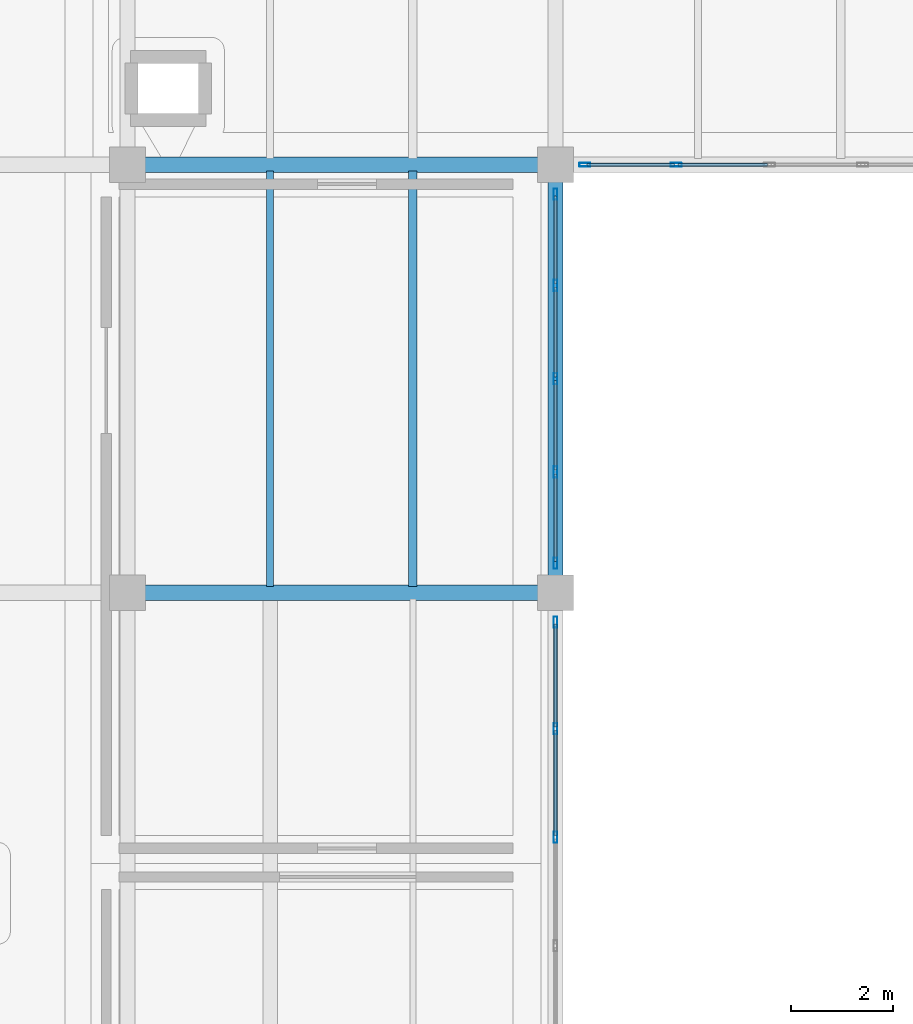
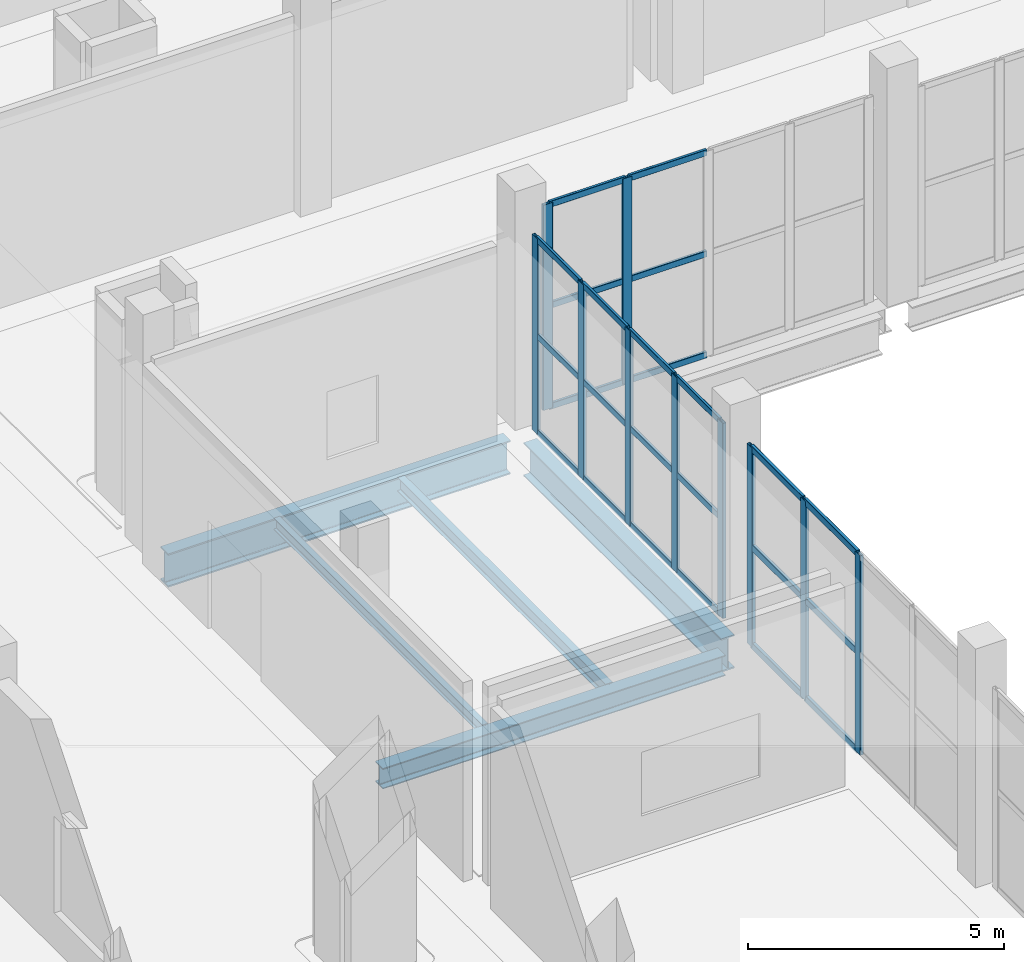
# One storey, part 23 of 49: 34 members, 5 beams, 3 elements without a shape of their own.
"""IFC4 building model written with IfcOpenShell, lengths in metres."""

from ifc_helpers import new_model, si_unit, direction, frame, origin, origin_2d, place, context, subcontext, project, spatial, hollow_rectangle, i_section, extrude, material, layer, layer_set, material_profile, profile_set, type_object, element, aggregate, save


model = new_model("IFC4")

# Units and contexts
model_context = context("Model", 3, precision=1e-05, world=origin(), true_north=direction((0.0, 1.0)))
body_context = subcontext(model_context, "Body", "Model", "MODEL_VIEW")
ifc_project = project(units=[si_unit("LENGTHUNIT", "METRE"), si_unit("AREAUNIT", "SQUARE_METRE"), si_unit("VOLUMEUNIT", "CUBIC_METRE"), si_unit("PLANEANGLEUNIT", "RADIAN"), si_unit("MASSUNIT", "GRAM", prefix="KILO")], contexts=[model_context])

# Site, building, storey
site_placement = place(None, origin())
site = spatial("IfcSite", under=ifc_project, at=site_placement, CompositionType="ELEMENT")
building_placement = place(site_placement, origin())
building = spatial("IfcBuilding", under=site, at=building_placement, Name="Zulmaris Art Gallery", CompositionType="ELEMENT")
storey_placement = place(building_placement, frame((0.0, 0.0, 20.699951171875)))
storey = spatial("IfcBuildingStorey", under=building, at=storey_placement, Name="L04", CompositionType="ELEMENT", Elevation=20.699951171875)

# Beams
ifc_material_1 = material(Name="Steel S355J2", Category="steel")
ifc_material_profile_1 = material_profile(ifc_material_1, i_section(OverallWidth=0.300048828125, OverallDepth=0.489990234375, WebThickness=0.011962890625, FlangeThickness=0.02294921875, FilletRadius=0.027099609375, at=origin_2d()), Name="HEA 500")
ifc_profile_set_1 = profile_set([ifc_material_profile_1], Name="Steel S355J2")
beam_type_1 = type_object("IfcBeamType", Name="BEAM-BM11", PredefinedType="BEAM", material=ifc_profile_set_1)
beam_1_placement = place(storey_placement, frame((150.3349609375, 50.39990234375, -0.635009765625), z_axis=(1.0, 0.0, 0.0), x_axis=(0.0, 1.0, 0.0)))
element("IfcBeam", 1, at=beam_1_placement, inside=storey, type_object=beam_type_1, Name="L04 X-girder (150.0..158.4, y=50.4)", PredefinedType="BEAM", context=body_context, shape_type="SweptSolid", body=[
    extrude(i_section(OverallWidth=0.300048828125, OverallDepth=0.489990234375, WebThickness=0.011962890625, FlangeThickness=0.02294921875, FilletRadius=0.027099609375, at=origin_2d()), origin(), (0.0, 0.0, 1.0), 7.72998046875),
])
ifc_material_profile_2 = material_profile(ifc_material_1, i_section(OverallWidth=0.300048828125, OverallDepth=0.800048828125, WebThickness=0.017578125, FlangeThickness=0.032958984375, FilletRadius=0.030029296875, at=origin_2d()), Name="HEB 800")
ifc_profile_set_2 = profile_set([ifc_material_profile_2], Name="Steel S355J2")
beam_type_2 = type_object("IfcBeamType", Name="BEAM-BM17", PredefinedType="BEAM", material=ifc_profile_set_2)
for number, where, z_axis, x_axis, name in (
    (2, (150.3349609375, 58.800048828125, -0.760009765625), (1.0, 0.0, 0.0), (0.0, 1.0, 0.0), "L04 X-girder (150.0..158.4, y=58.8)"),
    (3, (158.39990234375, 50.735107421875, -0.760009765625), (0.0, 1.0, 0.0), (-1.0, 0.0, 0.0), "L04 Y-girder (x=158.4, 50.4..58.8)"),
):
    element("IfcBeam", number, at=place(storey_placement, frame(where, z_axis=z_axis, x_axis=x_axis)), inside=storey, type_object=beam_type_2, Name=name, PredefinedType="BEAM", context=body_context, shape_type="SweptSolid", body=[
        extrude(i_section(OverallWidth=0.300048828125, OverallDepth=0.800048828125, WebThickness=0.017578125, FlangeThickness=0.032958984375, FilletRadius=0.030029296875, at=origin_2d()), origin(), (0.0, 0.0, 1.0), 7.72998046875),
    ])
ifc_material_profile_3 = material_profile(ifc_material_1, i_section(OverallWidth=0.135009765625, OverallDepth=0.27001953125, WebThickness=0.006591796875, FlangeThickness=0.01025390625, FilletRadius=0.014892578125, at=origin_2d()), Name="IPE 270")
ifc_profile_set_3 = profile_set([ifc_material_profile_3], Name="Steel S355J2")
beam_type_3 = type_object("IfcBeamType", Name="BEAM-JS02", PredefinedType="JOIST", material=ifc_profile_set_3)
beam_2_placement = place(storey_placement, frame((152.800048828125, 50.52490234375, -0.494873046875), z_axis=(0.0, 1.0, 0.0), x_axis=(-1.0, 0.0, 0.0)))
element("IfcBeam", 4, at=beam_2_placement, inside=storey, type_object=beam_type_3, Name="L04 secondary joist at x=152.8", PredefinedType="JOIST", context=body_context, shape_type="SweptSolid", body=[
    extrude(i_section(OverallWidth=0.135009765625, OverallDepth=0.27001953125, WebThickness=0.006591796875, FlangeThickness=0.01025390625, FilletRadius=0.014892578125, at=origin_2d()), origin(), (0.0, 0.0, 1.0), 8.150146484375),
])
ifc_material_profile_4 = material_profile(ifc_material_1, i_section(OverallWidth=0.159912109375, OverallDepth=0.330078125, WebThickness=0.007568359375, FlangeThickness=0.011474609375, FilletRadius=0.01806640625, at=origin_2d()), Name="IPE 330")
ifc_profile_set_4 = profile_set([ifc_material_profile_4], Name="Steel S355J2")
beam_type_4 = type_object("IfcBeamType", Name="BEAM-JS03", PredefinedType="JOIST", material=ifc_profile_set_4)
beam_3_placement = place(storey_placement, frame((155.60009765625, 50.52490234375, -0.52490234375), z_axis=(0.0, 1.0, 0.0), x_axis=(-1.0, 0.0, 0.0)))
element("IfcBeam", 5, at=beam_3_placement, inside=storey, type_object=beam_type_4, Name="L04 secondary joist at x=155.6", PredefinedType="JOIST", context=body_context, shape_type="SweptSolid", body=[
    extrude(i_section(OverallWidth=0.159912109375, OverallDepth=0.330078125, WebThickness=0.007568359375, FlangeThickness=0.011474609375, FilletRadius=0.01806640625, at=origin_2d()), origin(), (0.0, 0.0, 1.0), 8.150146484375),
])

# Curtain wall, members
ifc_material_2 = material(Name="Courtyard Artists Studio Curtain Wall", Category="aluminium")
ifc_layer = layer(ifc_material_2, 0.179931640625)
ifc_layer_set = layer_set([ifc_layer], Name="Courtyard Artists Studio Curtain Wall")
curtain_wall_type = type_object("IfcCurtainWallType", Name="CW-CW04", PredefinedType="NOTDEFINED", material=ifc_layer_set)
curtain_wall_1_placement = place(storey_placement, origin())
curtain_wall_1 = element("IfcCurtainWall", 6, at=curtain_wall_1_placement, inside=storey, type_object=curtain_wall_type, Name="L04 curtain wall 160", PredefinedType="NOTDEFINED")
ifc_material_3 = material(Name="Anodised Bronze Aluminium", Category="aluminium")
ifc_material_profile_5 = material_profile(ifc_material_3, hollow_rectangle(XDim=0.074951171875, YDim=0.219970703125, WallThickness=0.0048828125, InnerFilletRadius=0.007568359375, OuterFilletRadius=0.012451171875, at=origin_2d()), Name="ALU 75x220x5")
ifc_profile_set_5 = profile_set([ifc_material_profile_5], Name="Anodised Bronze Aluminium")
member_type_1 = type_object("IfcMemberType", Name="CWMUL-02", PredefinedType="MULLION", material=ifc_profile_set_5)
member_1_placement = place(storey_placement, frame((158.39990234375, 45.60009765625, 0.0), z_axis=(0.0, 0.0, 1.0), x_axis=(-1.0, 0.0, 0.0)))
member_1 = element("IfcMember", 7, at=member_1_placement, type_object=member_type_1, Name="CW04 mullion 3", PredefinedType="MULLION", context=body_context, shape_type="SweptSolid", body=[
    extrude(hollow_rectangle(XDim=0.074951171875, YDim=0.219970703125, WallThickness=0.0048828125, InnerFilletRadius=0.007568359375, OuterFilletRadius=0.012451171875, at=origin_2d()), origin(), (0.0, 0.0, 1.0), 4.760009765625),
])
member_2_placement = place(storey_placement, frame((158.39990234375, 47.72998046875, 0.0), z_axis=(0.0, 0.0, 1.0), x_axis=(-1.0, 0.0, 0.0)))
member_2 = element("IfcMember", 8, at=member_2_placement, type_object=member_type_1, Name="CW04 mullion 4", PredefinedType="MULLION", context=body_context, shape_type="SweptSolid", body=[
    extrude(hollow_rectangle(XDim=0.074951171875, YDim=0.219970703125, WallThickness=0.0048828125, InnerFilletRadius=0.007568359375, OuterFilletRadius=0.012451171875, at=origin_2d()), origin(), (0.0, 0.0, 1.0), 4.760009765625),
])
member_3_placement = place(storey_placement, frame((158.39990234375, 49.822509765625, 0.0), z_axis=(0.0, 0.0, 1.0), x_axis=(-1.0, 0.0, 0.0)))
member_3 = element("IfcMember", 9, at=member_3_placement, type_object=member_type_1, Name="CW04 mullion 5", PredefinedType="MULLION", context=body_context, shape_type="SweptSolid", body=[
    extrude(hollow_rectangle(XDim=0.074951171875, YDim=0.219970703125, WallThickness=0.0048828125, InnerFilletRadius=0.007568359375, OuterFilletRadius=0.012451171875, at=origin_2d()), origin(), (0.0, 0.0, 1.0), 4.760009765625),
])

curtain_wall_2_placement = place(storey_placement, origin())
curtain_wall_2 = element("IfcCurtainWall", 10, at=curtain_wall_2_placement, inside=storey, type_object=curtain_wall_type, Name="L04 curtain wall 161", PredefinedType="NOTDEFINED")
member_4_placement = place(storey_placement, frame((158.39990234375, 50.9775390625, 0.0), z_axis=(0.0, 0.0, 1.0), x_axis=(-1.0, 0.0, 0.0)))
member_4 = element("IfcMember", 11, at=member_4_placement, type_object=member_type_1, Name="CW04 mullion 1", PredefinedType="MULLION", context=body_context, shape_type="SweptSolid", body=[
    extrude(hollow_rectangle(XDim=0.074951171875, YDim=0.219970703125, WallThickness=0.0048828125, InnerFilletRadius=0.007568359375, OuterFilletRadius=0.012451171875, at=origin_2d()), origin(), (0.0, 0.0, 1.0), 4.66015625),
])
member_5_placement = place(storey_placement, frame((158.39990234375, 52.77001953125, 0.0), z_axis=(0.0, 0.0, 1.0), x_axis=(-1.0, 0.0, 0.0)))
member_5 = element("IfcMember", 12, at=member_5_placement, type_object=member_type_1, Name="CW04 mullion 2", PredefinedType="MULLION", context=body_context, shape_type="SweptSolid", body=[
    extrude(hollow_rectangle(XDim=0.074951171875, YDim=0.219970703125, WallThickness=0.0048828125, InnerFilletRadius=0.007568359375, OuterFilletRadius=0.012451171875, at=origin_2d()), origin(), (0.0, 0.0, 1.0), 4.66015625),
])
member_6_placement = place(storey_placement, frame((158.39990234375, 54.60009765625, 0.0), z_axis=(0.0, 0.0, 1.0), x_axis=(-1.0, 0.0, 0.0)))
member_6 = element("IfcMember", 13, at=member_6_placement, type_object=member_type_1, Name="CW04 mullion 3", PredefinedType="MULLION", context=body_context, shape_type="SweptSolid", body=[
    extrude(hollow_rectangle(XDim=0.074951171875, YDim=0.219970703125, WallThickness=0.0048828125, InnerFilletRadius=0.007568359375, OuterFilletRadius=0.012451171875, at=origin_2d()), origin(), (0.0, 0.0, 1.0), 4.66015625),
])
member_7_placement = place(storey_placement, frame((158.39990234375, 56.429931640625, 0.0), z_axis=(0.0, 0.0, 1.0), x_axis=(-1.0, 0.0, 0.0)))
member_7 = element("IfcMember", 14, at=member_7_placement, type_object=member_type_1, Name="CW04 mullion 4", PredefinedType="MULLION", context=body_context, shape_type="SweptSolid", body=[
    extrude(hollow_rectangle(XDim=0.074951171875, YDim=0.219970703125, WallThickness=0.0048828125, InnerFilletRadius=0.007568359375, OuterFilletRadius=0.012451171875, at=origin_2d()), origin(), (0.0, 0.0, 1.0), 4.66015625),
])
member_8_placement = place(storey_placement, frame((158.39990234375, 58.222412109375, 0.0), z_axis=(0.0, 0.0, 1.0), x_axis=(-1.0, 0.0, 0.0)))
member_8 = element("IfcMember", 15, at=member_8_placement, type_object=member_type_1, Name="CW04 mullion 5", PredefinedType="MULLION", context=body_context, shape_type="SweptSolid", body=[
    extrude(hollow_rectangle(XDim=0.074951171875, YDim=0.219970703125, WallThickness=0.0048828125, InnerFilletRadius=0.007568359375, OuterFilletRadius=0.012451171875, at=origin_2d()), origin(), (0.0, 0.0, 1.0), 4.66015625),
])

curtain_wall_3_placement = place(storey_placement, origin())
curtain_wall_3 = element("IfcCurtainWall", 16, at=curtain_wall_3_placement, inside=storey, type_object=curtain_wall_type, Name="L04 curtain wall 162", PredefinedType="NOTDEFINED")
member_9_placement = place(storey_placement, frame((160.77001953125, 58.800048828125, 0.0), z_axis=(0.0, 0.0, 1.0), x_axis=(0.0, -1.0, 0.0)))
member_9 = element("IfcMember", 17, at=member_9_placement, type_object=member_type_1, Name="CW04 mullion 4", PredefinedType="MULLION", context=body_context, shape_type="SweptSolid", body=[
    extrude(hollow_rectangle(XDim=0.074951171875, YDim=0.219970703125, WallThickness=0.0048828125, InnerFilletRadius=0.007568359375, OuterFilletRadius=0.012451171875, at=origin_2d()), origin(), (0.0, 0.0, 1.0), 4.900146484375),
])
member_10_placement = place(storey_placement, frame((158.9775390625, 58.800048828125, 0.0), z_axis=(0.0, 0.0, 1.0), x_axis=(0.0, -1.0, 0.0)))
member_10 = element("IfcMember", 18, at=member_10_placement, type_object=member_type_1, Name="CW04 mullion 5", PredefinedType="MULLION", context=body_context, shape_type="SweptSolid", body=[
    extrude(hollow_rectangle(XDim=0.074951171875, YDim=0.219970703125, WallThickness=0.0048828125, InnerFilletRadius=0.007568359375, OuterFilletRadius=0.012451171875, at=origin_2d()), origin(), (0.0, 0.0, 1.0), 4.900146484375),
])

# Member
ifc_material_profile_6 = material_profile(ifc_material_3, hollow_rectangle(XDim=0.06494140625, YDim=0.14990234375, WallThickness=0.00390625, InnerFilletRadius=0.006103515625, OuterFilletRadius=0.010009765625, at=origin_2d()), Name="ALU 65x150x4")
ifc_profile_set_6 = profile_set([ifc_material_profile_6], Name="Anodised Bronze Aluminium")
member_type_2 = type_object("IfcMemberType", Name="CWTRN-01", PredefinedType="USERDEFINED", material=ifc_profile_set_6)
member_11_placement = place(storey_placement, frame((158.39990234375, 51.014892578125, 0.03759765625), z_axis=(0.0, 1.0, 0.0), x_axis=(-1.0, 0.0, 0.0)))
member_11 = element("IfcMember", 19, at=member_11_placement, type_object=member_type_2, Name="CW04 transom 1.1", ObjectType="TRANSOM", PredefinedType="USERDEFINED", context=body_context, shape_type="SweptSolid", body=[
    extrude(hollow_rectangle(XDim=0.06494140625, YDim=0.14990234375, WallThickness=0.00390625, InnerFilletRadius=0.006103515625, OuterFilletRadius=0.010009765625, at=origin_2d()), origin(), (0.0, 0.0, 1.0), 1.717529296875),
])

member_12_placement = place(storey_placement, frame((158.39990234375, 51.014892578125, 2.330078125), z_axis=(0.0, 1.0, 0.0), x_axis=(-1.0, 0.0, 0.0)))
member_12 = element("IfcMember", 20, at=member_12_placement, type_object=member_type_2, Name="CW04 transom 1.2", ObjectType="TRANSOM", PredefinedType="USERDEFINED", context=body_context, shape_type="SweptSolid", body=[
    extrude(hollow_rectangle(XDim=0.06494140625, YDim=0.14990234375, WallThickness=0.00390625, InnerFilletRadius=0.006103515625, OuterFilletRadius=0.010009765625, at=origin_2d()), origin(), (0.0, 0.0, 1.0), 1.717529296875),
])

member_13_placement = place(storey_placement, frame((158.39990234375, 51.014892578125, 4.62255859375), z_axis=(0.0, 1.0, 0.0), x_axis=(-1.0, 0.0, 0.0)))
member_13 = element("IfcMember", 21, at=member_13_placement, type_object=member_type_2, Name="CW04 transom 1.3", ObjectType="TRANSOM", PredefinedType="USERDEFINED", context=body_context, shape_type="SweptSolid", body=[
    extrude(hollow_rectangle(XDim=0.06494140625, YDim=0.14990234375, WallThickness=0.00390625, InnerFilletRadius=0.006103515625, OuterFilletRadius=0.010009765625, at=origin_2d()), origin(), (0.0, 0.0, 1.0), 1.717529296875),
])

member_14_placement = place(storey_placement, frame((158.39990234375, 52.8076171875, 0.03759765625), z_axis=(0.0, 1.0, 0.0), x_axis=(-1.0, 0.0, 0.0)))
member_14 = element("IfcMember", 22, at=member_14_placement, type_object=member_type_2, Name="CW04 transom 2.1", ObjectType="TRANSOM", PredefinedType="USERDEFINED", context=body_context, shape_type="SweptSolid", body=[
    extrude(hollow_rectangle(XDim=0.06494140625, YDim=0.14990234375, WallThickness=0.00390625, InnerFilletRadius=0.006103515625, OuterFilletRadius=0.010009765625, at=origin_2d()), origin(), (0.0, 0.0, 1.0), 1.7548828125),
])

member_15_placement = place(storey_placement, frame((158.39990234375, 52.8076171875, 2.330078125), z_axis=(0.0, 1.0, 0.0), x_axis=(-1.0, 0.0, 0.0)))
member_15 = element("IfcMember", 23, at=member_15_placement, type_object=member_type_2, Name="CW04 transom 2.2", ObjectType="TRANSOM", PredefinedType="USERDEFINED", context=body_context, shape_type="SweptSolid", body=[
    extrude(hollow_rectangle(XDim=0.06494140625, YDim=0.14990234375, WallThickness=0.00390625, InnerFilletRadius=0.006103515625, OuterFilletRadius=0.010009765625, at=origin_2d()), origin(), (0.0, 0.0, 1.0), 1.7548828125),
])

member_16_placement = place(storey_placement, frame((158.39990234375, 52.8076171875, 4.62255859375), z_axis=(0.0, 1.0, 0.0), x_axis=(-1.0, 0.0, 0.0)))
member_16 = element("IfcMember", 24, at=member_16_placement, type_object=member_type_2, Name="CW04 transom 2.3", ObjectType="TRANSOM", PredefinedType="USERDEFINED", context=body_context, shape_type="SweptSolid", body=[
    extrude(hollow_rectangle(XDim=0.06494140625, YDim=0.14990234375, WallThickness=0.00390625, InnerFilletRadius=0.006103515625, OuterFilletRadius=0.010009765625, at=origin_2d()), origin(), (0.0, 0.0, 1.0), 1.7548828125),
])

member_17_placement = place(storey_placement, frame((158.39990234375, 54.637451171875, 0.03759765625), z_axis=(0.0, 1.0, 0.0), x_axis=(-1.0, 0.0, 0.0)))
member_17 = element("IfcMember", 25, at=member_17_placement, type_object=member_type_2, Name="CW04 transom 3.1", ObjectType="TRANSOM", PredefinedType="USERDEFINED", context=body_context, shape_type="SweptSolid", body=[
    extrude(hollow_rectangle(XDim=0.06494140625, YDim=0.14990234375, WallThickness=0.00390625, InnerFilletRadius=0.006103515625, OuterFilletRadius=0.010009765625, at=origin_2d()), origin(), (0.0, 0.0, 1.0), 1.755126953125),
])

member_18_placement = place(storey_placement, frame((158.39990234375, 54.637451171875, 2.330078125), z_axis=(0.0, 1.0, 0.0), x_axis=(-1.0, 0.0, 0.0)))
member_18 = element("IfcMember", 26, at=member_18_placement, type_object=member_type_2, Name="CW04 transom 3.2", ObjectType="TRANSOM", PredefinedType="USERDEFINED", context=body_context, shape_type="SweptSolid", body=[
    extrude(hollow_rectangle(XDim=0.06494140625, YDim=0.14990234375, WallThickness=0.00390625, InnerFilletRadius=0.006103515625, OuterFilletRadius=0.010009765625, at=origin_2d()), origin(), (0.0, 0.0, 1.0), 1.755126953125),
])

member_19_placement = place(storey_placement, frame((158.39990234375, 54.637451171875, 4.62255859375), z_axis=(0.0, 1.0, 0.0), x_axis=(-1.0, 0.0, 0.0)))
member_19 = element("IfcMember", 27, at=member_19_placement, type_object=member_type_2, Name="CW04 transom 3.3", ObjectType="TRANSOM", PredefinedType="USERDEFINED", context=body_context, shape_type="SweptSolid", body=[
    extrude(hollow_rectangle(XDim=0.06494140625, YDim=0.14990234375, WallThickness=0.00390625, InnerFilletRadius=0.006103515625, OuterFilletRadius=0.010009765625, at=origin_2d()), origin(), (0.0, 0.0, 1.0), 1.755126953125),
])

member_20_placement = place(storey_placement, frame((158.39990234375, 56.467529296875, 0.03759765625), z_axis=(0.0, 1.0, 0.0), x_axis=(-1.0, 0.0, 0.0)))
member_20 = element("IfcMember", 28, at=member_20_placement, type_object=member_type_2, Name="CW04 transom 4.1", ObjectType="TRANSOM", PredefinedType="USERDEFINED", context=body_context, shape_type="SweptSolid", body=[
    extrude(hollow_rectangle(XDim=0.06494140625, YDim=0.14990234375, WallThickness=0.00390625, InnerFilletRadius=0.006103515625, OuterFilletRadius=0.010009765625, at=origin_2d()), origin(), (0.0, 0.0, 1.0), 1.717529296875),
])

member_21_placement = place(storey_placement, frame((158.39990234375, 56.467529296875, 2.330078125), z_axis=(0.0, 1.0, 0.0), x_axis=(-1.0, 0.0, 0.0)))
member_21 = element("IfcMember", 29, at=member_21_placement, type_object=member_type_2, Name="CW04 transom 4.2", ObjectType="TRANSOM", PredefinedType="USERDEFINED", context=body_context, shape_type="SweptSolid", body=[
    extrude(hollow_rectangle(XDim=0.06494140625, YDim=0.14990234375, WallThickness=0.00390625, InnerFilletRadius=0.006103515625, OuterFilletRadius=0.010009765625, at=origin_2d()), origin(), (0.0, 0.0, 1.0), 1.717529296875),
])

member_22_placement = place(storey_placement, frame((158.39990234375, 56.467529296875, 4.62255859375), z_axis=(0.0, 1.0, 0.0), x_axis=(-1.0, 0.0, 0.0)))
member_22 = element("IfcMember", 30, at=member_22_placement, type_object=member_type_2, Name="CW04 transom 4.3", ObjectType="TRANSOM", PredefinedType="USERDEFINED", context=body_context, shape_type="SweptSolid", body=[
    extrude(hollow_rectangle(XDim=0.06494140625, YDim=0.14990234375, WallThickness=0.00390625, InnerFilletRadius=0.006103515625, OuterFilletRadius=0.010009765625, at=origin_2d()), origin(), (0.0, 0.0, 1.0), 1.717529296875),
])

aggregate(curtain_wall_2, [member_4, member_5, member_6, member_7, member_8, member_11, member_12, member_13, member_14, member_15, member_16, member_17, member_18, member_19, member_20, member_21, member_22])

member_23_placement = place(storey_placement, frame((162.5625, 58.800048828125, 0.03759765625), z_axis=(-1.0, 0.0, 0.0), x_axis=(0.0, -1.0, 0.0)))
member_23 = element("IfcMember", 31, at=member_23_placement, type_object=member_type_2, Name="CW04 transom 3.1", ObjectType="TRANSOM", PredefinedType="USERDEFINED", context=body_context, shape_type="SweptSolid", body=[
    extrude(hollow_rectangle(XDim=0.06494140625, YDim=0.14990234375, WallThickness=0.00390625, InnerFilletRadius=0.006103515625, OuterFilletRadius=0.010009765625, at=origin_2d()), origin(), (0.0, 0.0, 1.0), 1.7548828125),
])

member_24_placement = place(storey_placement, frame((162.5625, 58.800048828125, 2.449951171875), z_axis=(-1.0, 0.0, 0.0), x_axis=(0.0, -1.0, 0.0)))
member_24 = element("IfcMember", 32, at=member_24_placement, type_object=member_type_2, Name="CW04 transom 3.2", ObjectType="TRANSOM", PredefinedType="USERDEFINED", context=body_context, shape_type="SweptSolid", body=[
    extrude(hollow_rectangle(XDim=0.06494140625, YDim=0.14990234375, WallThickness=0.00390625, InnerFilletRadius=0.006103515625, OuterFilletRadius=0.010009765625, at=origin_2d()), origin(), (0.0, 0.0, 1.0), 1.7548828125),
])

member_25_placement = place(storey_placement, frame((162.5625, 58.800048828125, 4.862548828125), z_axis=(-1.0, 0.0, 0.0), x_axis=(0.0, -1.0, 0.0)))
member_25 = element("IfcMember", 33, at=member_25_placement, type_object=member_type_2, Name="CW04 transom 3.3", ObjectType="TRANSOM", PredefinedType="USERDEFINED", context=body_context, shape_type="SweptSolid", body=[
    extrude(hollow_rectangle(XDim=0.06494140625, YDim=0.14990234375, WallThickness=0.00390625, InnerFilletRadius=0.006103515625, OuterFilletRadius=0.010009765625, at=origin_2d()), origin(), (0.0, 0.0, 1.0), 1.7548828125),
])

member_26_placement = place(storey_placement, frame((160.732421875, 58.800048828125, 0.03759765625), z_axis=(-1.0, 0.0, 0.0), x_axis=(0.0, -1.0, 0.0)))
member_26 = element("IfcMember", 34, at=member_26_placement, type_object=member_type_2, Name="CW04 transom 4.1", ObjectType="TRANSOM", PredefinedType="USERDEFINED", context=body_context, shape_type="SweptSolid", body=[
    extrude(hollow_rectangle(XDim=0.06494140625, YDim=0.14990234375, WallThickness=0.00390625, InnerFilletRadius=0.006103515625, OuterFilletRadius=0.010009765625, at=origin_2d()), origin(), (0.0, 0.0, 1.0), 1.717529296875),
])

member_27_placement = place(storey_placement, frame((160.732421875, 58.800048828125, 2.449951171875), z_axis=(-1.0, 0.0, 0.0), x_axis=(0.0, -1.0, 0.0)))
member_27 = element("IfcMember", 35, at=member_27_placement, type_object=member_type_2, Name="CW04 transom 4.2", ObjectType="TRANSOM", PredefinedType="USERDEFINED", context=body_context, shape_type="SweptSolid", body=[
    extrude(hollow_rectangle(XDim=0.06494140625, YDim=0.14990234375, WallThickness=0.00390625, InnerFilletRadius=0.006103515625, OuterFilletRadius=0.010009765625, at=origin_2d()), origin(), (0.0, 0.0, 1.0), 1.717529296875),
])

member_28_placement = place(storey_placement, frame((160.732421875, 58.800048828125, 4.862548828125), z_axis=(-1.0, 0.0, 0.0), x_axis=(0.0, -1.0, 0.0)))
member_28 = element("IfcMember", 36, at=member_28_placement, type_object=member_type_2, Name="CW04 transom 4.3", ObjectType="TRANSOM", PredefinedType="USERDEFINED", context=body_context, shape_type="SweptSolid", body=[
    extrude(hollow_rectangle(XDim=0.06494140625, YDim=0.14990234375, WallThickness=0.00390625, InnerFilletRadius=0.006103515625, OuterFilletRadius=0.010009765625, at=origin_2d()), origin(), (0.0, 0.0, 1.0), 1.717529296875),
])

aggregate(curtain_wall_3, [member_9, member_10, member_23, member_24, member_25, member_26, member_27, member_28])

ifc_material_profile_7 = material_profile(ifc_material_3, hollow_rectangle(XDim=0.074951171875, YDim=0.159912109375, WallThickness=0.00390625, InnerFilletRadius=0.006103515625, OuterFilletRadius=0.010009765625, at=origin_2d()), Name="ALU 75x160x4")
ifc_profile_set_7 = profile_set([ifc_material_profile_7], Name="Anodised Bronze Aluminium")
member_type_3 = type_object("IfcMemberType", Name="CWTRN-02", PredefinedType="USERDEFINED", material=ifc_profile_set_7)
member_29_placement = place(storey_placement, frame((158.39990234375, 45.637451171875, 0.03759765625), z_axis=(0.0, 1.0, 0.0), x_axis=(-1.0, 0.0, 0.0)))
member_29 = element("IfcMember", 37, at=member_29_placement, type_object=member_type_3, Name="CW04 transom 3.1", ObjectType="TRANSOM", PredefinedType="USERDEFINED", context=body_context, shape_type="SweptSolid", body=[
    extrude(hollow_rectangle(XDim=0.074951171875, YDim=0.159912109375, WallThickness=0.00390625, InnerFilletRadius=0.006103515625, OuterFilletRadius=0.010009765625, at=origin_2d()), origin(), (0.0, 0.0, 1.0), 2.054931640625),
])

member_30_placement = place(storey_placement, frame((158.39990234375, 45.637451171875, 2.380126953125), z_axis=(0.0, 1.0, 0.0), x_axis=(-1.0, 0.0, 0.0)))
member_30 = element("IfcMember", 38, at=member_30_placement, type_object=member_type_3, Name="CW04 transom 3.2", ObjectType="TRANSOM", PredefinedType="USERDEFINED", context=body_context, shape_type="SweptSolid", body=[
    extrude(hollow_rectangle(XDim=0.074951171875, YDim=0.159912109375, WallThickness=0.00390625, InnerFilletRadius=0.006103515625, OuterFilletRadius=0.010009765625, at=origin_2d()), origin(), (0.0, 0.0, 1.0), 2.054931640625),
])

member_31_placement = place(storey_placement, frame((158.39990234375, 45.637451171875, 4.72265625), z_axis=(0.0, 1.0, 0.0), x_axis=(-1.0, 0.0, 0.0)))
member_31 = element("IfcMember", 39, at=member_31_placement, type_object=member_type_3, Name="CW04 transom 3.3", ObjectType="TRANSOM", PredefinedType="USERDEFINED", context=body_context, shape_type="SweptSolid", body=[
    extrude(hollow_rectangle(XDim=0.074951171875, YDim=0.159912109375, WallThickness=0.00390625, InnerFilletRadius=0.006103515625, OuterFilletRadius=0.010009765625, at=origin_2d()), origin(), (0.0, 0.0, 1.0), 2.054931640625),
])

member_32_placement = place(storey_placement, frame((158.39990234375, 47.767578125, 0.03759765625), z_axis=(0.0, 1.0, 0.0), x_axis=(-1.0, 0.0, 0.0)))
member_32 = element("IfcMember", 40, at=member_32_placement, type_object=member_type_3, Name="CW04 transom 4.1", ObjectType="TRANSOM", PredefinedType="USERDEFINED", context=body_context, shape_type="SweptSolid", body=[
    extrude(hollow_rectangle(XDim=0.074951171875, YDim=0.159912109375, WallThickness=0.00390625, InnerFilletRadius=0.006103515625, OuterFilletRadius=0.010009765625, at=origin_2d()), origin(), (0.0, 0.0, 1.0), 2.017333984375),
])

member_33_placement = place(storey_placement, frame((158.39990234375, 47.767578125, 2.380126953125), z_axis=(0.0, 1.0, 0.0), x_axis=(-1.0, 0.0, 0.0)))
member_33 = element("IfcMember", 41, at=member_33_placement, type_object=member_type_3, Name="CW04 transom 4.2", ObjectType="TRANSOM", PredefinedType="USERDEFINED", context=body_context, shape_type="SweptSolid", body=[
    extrude(hollow_rectangle(XDim=0.074951171875, YDim=0.159912109375, WallThickness=0.00390625, InnerFilletRadius=0.006103515625, OuterFilletRadius=0.010009765625, at=origin_2d()), origin(), (0.0, 0.0, 1.0), 2.017333984375),
])

member_34_placement = place(storey_placement, frame((158.39990234375, 47.767578125, 4.72265625), z_axis=(0.0, 1.0, 0.0), x_axis=(-1.0, 0.0, 0.0)))
member_34 = element("IfcMember", 42, at=member_34_placement, type_object=member_type_3, Name="CW04 transom 4.3", ObjectType="TRANSOM", PredefinedType="USERDEFINED", context=body_context, shape_type="SweptSolid", body=[
    extrude(hollow_rectangle(XDim=0.074951171875, YDim=0.159912109375, WallThickness=0.00390625, InnerFilletRadius=0.006103515625, OuterFilletRadius=0.010009765625, at=origin_2d()), origin(), (0.0, 0.0, 1.0), 2.017333984375),
])

aggregate(curtain_wall_1, [member_1, member_2, member_3, member_29, member_30, member_31, member_32, member_33, member_34])

save(model, "model.ifc")
